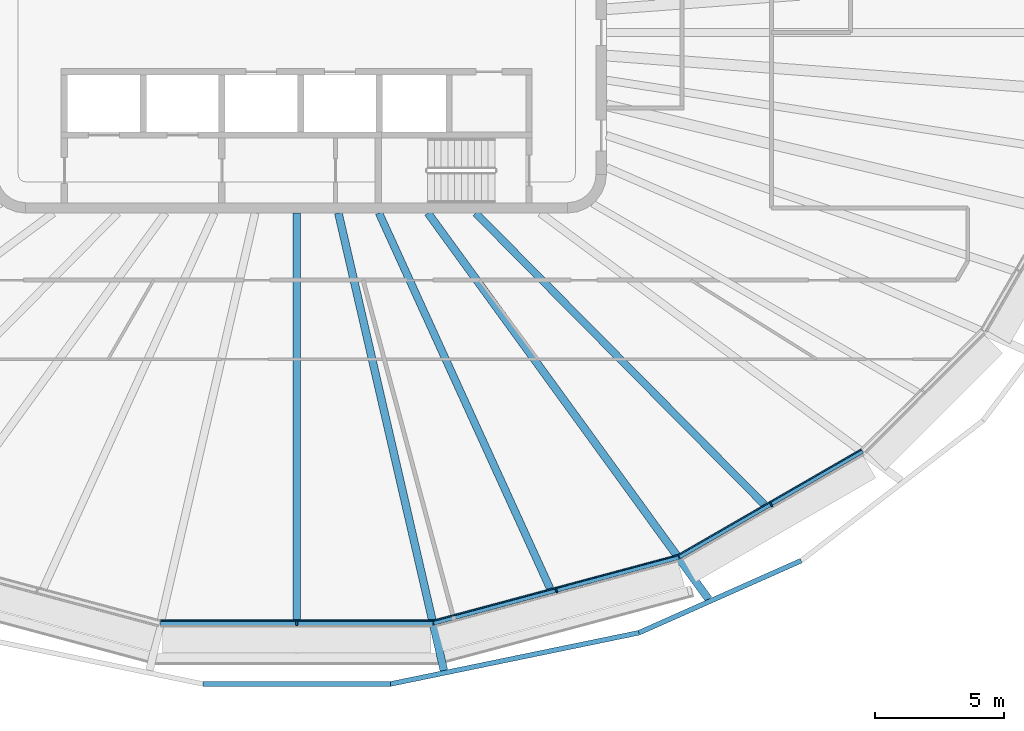
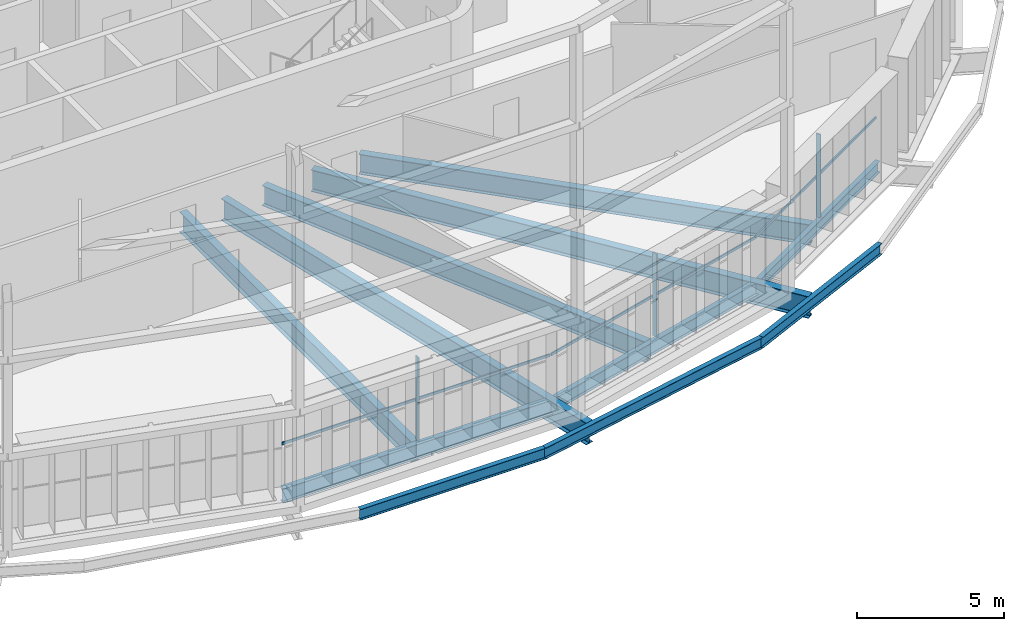
# One storey, part 3 of 20: 11 beams, 6 members, 3 elements without a shape of their own.
"""IFC4 building model written with IfcOpenShell, lengths in metres."""

from ifc_helpers import new_model, si_unit, direction, frame, origin, origin_2d, place, context, subcontext, project, spatial, rectangle, i_section, extrude, material, layer, layer_set, material_profile, profile_set, type_object, element, aggregate, save


model = new_model("IFC4")

# Units and contexts
model_context = context("Model", 3, precision=1e-05, world=origin(), true_north=direction((0.0, 1.0)))
body_context = subcontext(model_context, "Body", "Model", "MODEL_VIEW")
ifc_project = project(units=[si_unit("LENGTHUNIT", "METRE"), si_unit("AREAUNIT", "SQUARE_METRE"), si_unit("VOLUMEUNIT", "CUBIC_METRE"), si_unit("PLANEANGLEUNIT", "RADIAN"), si_unit("MASSUNIT", "GRAM", prefix="KILO")], contexts=[model_context])

# Site, building, storey
site_placement = place(None, origin())
site = spatial("IfcSite", under=ifc_project, at=site_placement, CompositionType="ELEMENT")
building_placement = place(site_placement, origin())
building = spatial("IfcBuilding", under=site, at=building_placement, Name="Sahrelin Media Tower", CompositionType="ELEMENT")
storey_placement = place(building_placement, frame((0.0, 0.0, 209.60009765625)))
storey = spatial("IfcBuildingStorey", under=building, at=storey_placement, Name="L44", CompositionType="ELEMENT", Elevation=209.60009765625)

# Beams
ifc_material_1 = material(Name="Steel S355", Category="steel")
ifc_material_profile_1 = material_profile(ifc_material_1, i_section(OverallWidth=0.1904296875, OverallDepth=0.45703125, WebThickness=0.009033203125, FlangeThickness=0.014404296875, FilletRadius=0.01025390625, at=origin_2d()), Name="UB 457x191x74")
ifc_profile_set_1 = profile_set([ifc_material_profile_1], Name="Steel S355")
beam_type_1 = type_object("IfcBeamType", Name="Edge beam EB5", PredefinedType="BEAM", material=ifc_profile_set_1)
beam_1_placement = place(storey_placement, frame((21.9091796875, -16.215087890625, -0.378662109375), z_axis=(-0.86602319786, -0.500003820754, 0.0), x_axis=(0.500003820754, -0.86602319786, 0.0)))
element("IfcBeam", 1, at=beam_1_placement, inside=storey, type_object=beam_type_1, Name="Edge beam L44-05", PredefinedType="BEAM", context=body_context, shape_type="SweptSolid", body=[
    extrude(i_section(OverallWidth=0.1904296875, OverallDepth=0.45703125, WebThickness=0.009033203125, FlangeThickness=0.014404296875, FilletRadius=0.01025390625, at=origin_2d()), origin(), (0.0, 0.0, 1.0), 8.18701171875),
])
ifc_material_profile_2 = material_profile(ifc_material_1, i_section(OverallWidth=0.208740234375, OverallDepth=0.5283203125, WebThickness=0.009521484375, FlangeThickness=0.01318359375, FilletRadius=0.0126953125, at=origin_2d()), Name="UB 533x210x82")
ifc_profile_set_2 = profile_set([ifc_material_profile_2], Name="Steel S355")
beam_type_2 = type_object("IfcBeamType", Name="Edge beam EB6", PredefinedType="BEAM", material=ifc_profile_set_2)
beam_2_placement = place(storey_placement, frame((14.79248046875, -20.319580078125, -0.414306640625), z_axis=(-0.965931078652, -0.258799442223, 0.0), x_axis=(0.258799442223, -0.965931078652, 0.0)))
element("IfcBeam", 2, at=beam_2_placement, inside=storey, type_object=beam_type_2, Name="Edge beam L44-06", PredefinedType="BEAM", context=body_context, shape_type="SweptSolid", body=[
    extrude(i_section(OverallWidth=0.208740234375, OverallDepth=0.5283203125, WebThickness=0.009521484375, FlangeThickness=0.01318359375, FilletRadius=0.0126953125, at=origin_2d()), origin(), (0.0, 0.0, 1.0), 9.8232421875),
])
ifc_material_profile_3 = material_profile(ifc_material_1, i_section(OverallWidth=0.2275390625, OverallDepth=0.6025390625, WebThickness=0.010498046875, FlangeThickness=0.014892578125, FilletRadius=0.0126953125, at=origin_2d()), Name="UB 610x229x101")
ifc_profile_set_3 = profile_set([ifc_material_profile_3], Name="Steel S355")
beam_type_3 = type_object("IfcBeamType", Name="Edge beam EB7", PredefinedType="BEAM", material=ifc_profile_set_3)
beam_3_placement = place(storey_placement, frame((5.275390625, -22.86572265625, -0.451416015625), z_axis=(-1.0, 0.0, 0.0), x_axis=(0.0, -1.0, 0.0)))
element("IfcBeam", 3, at=beam_3_placement, inside=storey, type_object=beam_type_3, Name="Edge beam L44-07", PredefinedType="BEAM", context=body_context, shape_type="SweptSolid", body=[
    extrude(i_section(OverallWidth=0.2275390625, OverallDepth=0.6025390625, WebThickness=0.010498046875, FlangeThickness=0.014892578125, FilletRadius=0.0126953125, at=origin_2d()), origin(), (0.0, 0.0, 1.0), 10.55078125),
])

# Curtain wall, member
ifc_material_2 = material(Name="Champagne anodised aluminium 6063-T6", Category="aluminium")
ifc_layer = layer(ifc_material_2, 0.14990234375)
ifc_layer_set = layer_set([ifc_layer], Name="Tower ribbon curtain wall")
curtain_wall_type = type_object("IfcCurtainWallType", Name="Tower ribbon curtain wall", PredefinedType="NOTDEFINED", material=ifc_layer_set)
curtain_wall_1_placement = place(storey_placement, frame((0.0, -23.015625, 0.0), z_axis=(0.0, 0.0, 1.0), x_axis=(1.0, 0.0, 0.0)))
curtain_wall_1 = element("IfcCurtainWall", 4, at=curtain_wall_1_placement, inside=storey, type_object=curtain_wall_type, Name="L44:CW:L44-18", PredefinedType="NOTDEFINED")
ifc_material_profile_4 = material_profile(ifc_material_2, rectangle(XDim=0.06005859375, YDim=0.175048828125, at=origin_2d()), Name="Mullion 60x175")
ifc_profile_set_4 = profile_set([ifc_material_profile_4], Name="Champagne anodised aluminium 6063-T6")
member_type_1 = type_object("IfcMemberType", Name="Mullion 60x175 CW1B", PredefinedType="MULLION", material=ifc_profile_set_4)
member_1_placement = place(storey_placement, frame((0.0, -22.908203125, 0.0), z_axis=(0.0, 0.0, 1.0), x_axis=(1.0, 0.0, 0.0)))
member_1 = element("IfcMember", 5, at=member_1_placement, type_object=member_type_1, Name="L44:CWM:L44-18", PredefinedType="MULLION", context=body_context, shape_type="SweptSolid", body=[
    extrude(rectangle(XDim=0.06005859375, YDim=0.175048828125, at=origin_2d()), origin(), (0.0, 0.0, 1.0), 3.448486328125),
])

curtain_wall_2_placement = place(storey_placement, frame((10.0869140625, -21.735595703125, 0.0), z_axis=(0.0, 0.0, 1.0), x_axis=(1.0, 0.0, 0.0)))
curtain_wall_2 = element("IfcCurtainWall", 6, at=curtain_wall_2_placement, inside=storey, type_object=curtain_wall_type, Name="L44:CW:L44-19", PredefinedType="NOTDEFINED")
member_2_placement = place(storey_placement, frame((10.05908203125, -21.6318359375, 0.0), z_axis=(0.0, 0.0, 1.0), x_axis=(0.965927633163, 0.258812301662, 0.0)))
member_2 = element("IfcMember", 7, at=member_2_placement, type_object=member_type_1, Name="L44:CWM:L44-19", PredefinedType="MULLION", context=body_context, shape_type="SweptSolid", body=[
    extrude(rectangle(XDim=0.06005859375, YDim=0.175048828125, at=origin_2d()), origin(), (0.0, 0.0, 1.0), 3.448486328125),
])

curtain_wall_3_placement = place(storey_placement, frame((18.439208984375, -18.3916015625, 0.0), z_axis=(0.0, 0.0, 1.0), x_axis=(1.0, 0.0, 0.0)))
curtain_wall_3 = element("IfcCurtainWall", 8, at=curtain_wall_3_placement, inside=storey, type_object=curtain_wall_type, Name="L44:CW:L44-20", PredefinedType="NOTDEFINED")
member_3_placement = place(storey_placement, frame((18.385498046875, -18.298583984375, 0.0), z_axis=(0.0, 0.0, 1.0), x_axis=(0.86602365845, 0.500003022996, 0.0)))
member_3 = element("IfcMember", 9, at=member_3_placement, type_object=member_type_1, Name="L44:CWM:L44-20", PredefinedType="MULLION", context=body_context, shape_type="SweptSolid", body=[
    extrude(rectangle(XDim=0.06005859375, YDim=0.175048828125, at=origin_2d()), origin(), (0.0, 0.0, 1.0), 3.448486328125),
])

# Beams
ifc_material_profile_5 = material_profile(ifc_material_1, i_section(OverallWidth=0.30322265625, OverallDepth=0.903076171875, WebThickness=0.01513671875, FlangeThickness=0.020263671875, FilletRadius=0.01904296875, at=origin_2d()), Name="UB 914x305x201")
ifc_profile_set_5 = profile_set([ifc_material_profile_5], Name="Steel S355")
beam_type_4 = type_object("IfcBeamType", Name="Radial primary beam PB11", PredefinedType="BEAM", material=ifc_profile_set_5)
beam_4_placement = place(storey_placement, frame((1.614990234375, -7.0, -0.6015625), z_axis=(0.224784995262, -0.974408387641, 0.0), x_axis=(0.974408387641, 0.224784995262, 0.0)))
element("IfcBeam", 10, at=beam_4_placement, inside=storey, type_object=beam_type_4, Name="Radial beam L44-19", PredefinedType="BEAM", context=body_context, shape_type="SweptSolid", body=[
    extrude(i_section(OverallWidth=0.30322265625, OverallDepth=0.903076171875, WebThickness=0.01513671875, FlangeThickness=0.020263671875, FilletRadius=0.01904296875, at=origin_2d()), origin(), (0.0, 0.0, 1.0), 18.186767578125),
])
beam_5_placement = place(storey_placement, frame((5.086669921875, -7.0, -0.6015625), z_axis=(0.587849769231, -0.808970116145, 0.0), x_axis=(0.808970116145, 0.587849769231, 0.0)))
element("IfcBeam", 11, at=beam_5_placement, inside=storey, type_object=beam_type_4, Name="Radial beam L44-20", PredefinedType="BEAM", context=body_context, shape_type="SweptSolid", body=[
    extrude(i_section(OverallWidth=0.30322265625, OverallDepth=0.903076171875, WebThickness=0.01513671875, FlangeThickness=0.020263671875, FilletRadius=0.01904296875, at=origin_2d()), origin(), (0.0, 0.0, 1.0), 18.490478515625),
])
ifc_material_profile_6 = material_profile(ifc_material_1, i_section(OverallWidth=0.291748046875, OverallDepth=0.8349609375, WebThickness=0.013916015625, FlangeThickness=0.018798828125, FilletRadius=0.017822265625, at=origin_2d()), Name="UB 838x292x176")
ifc_profile_set_6 = profile_set([ifc_material_profile_6], Name="Steel S355")
beam_type_5 = type_object("IfcBeamType", Name="Radial secondary beam SB10", PredefinedType="BEAM", material=ifc_profile_set_6)
beam_6_placement = place(storey_placement, frame((0.0, -7.0, -0.567626953125), z_axis=(0.0, -1.0, 0.0), x_axis=(1.0, 0.0, 0.0)))
element("IfcBeam", 12, at=beam_6_placement, inside=storey, type_object=beam_type_5, Name="Secondary beam L44-18", PredefinedType="BEAM", context=body_context, shape_type="SweptSolid", body=[
    extrude(i_section(OverallWidth=0.291748046875, OverallDepth=0.8349609375, WebThickness=0.013916015625, FlangeThickness=0.018798828125, FilletRadius=0.017822265625, at=origin_2d()), origin(), (0.0, 0.0, 1.0), 15.751953125),
])
beam_7_placement = place(storey_placement, frame((3.189697265625, -7.0, -0.567626953125), z_axis=(0.414662432786, -0.909975311113, 0.0), x_axis=(0.909975311113, 0.414662432786, 0.0)))
element("IfcBeam", 13, at=beam_7_placement, inside=storey, type_object=beam_type_5, Name="Secondary beam L44-19", PredefinedType="BEAM", context=body_context, shape_type="SweptSolid", body=[
    extrude(i_section(OverallWidth=0.291748046875, OverallDepth=0.8349609375, WebThickness=0.013916015625, FlangeThickness=0.018798828125, FilletRadius=0.017822265625, at=origin_2d()), origin(), (0.0, 0.0, 1.0), 15.9833984375),
])
beam_8_placement = place(storey_placement, frame((6.931884765625, -7.0, -0.567626953125), z_axis=(0.703642558186, -0.710554114976, 0.0), x_axis=(0.710554114976, 0.703642558186, 0.0)))
element("IfcBeam", 14, at=beam_8_placement, inside=storey, type_object=beam_type_5, Name="Secondary beam L44-20", PredefinedType="BEAM", context=body_context, shape_type="SweptSolid", body=[
    extrude(i_section(OverallWidth=0.291748046875, OverallDepth=0.8349609375, WebThickness=0.013916015625, FlangeThickness=0.018798828125, FilletRadius=0.017822265625, at=origin_2d()), origin(), (0.0, 0.0, 1.0), 15.8955078125),
])
ifc_material_profile_7 = material_profile(ifc_material_1, i_section(OverallWidth=0.1904296875, OverallDepth=0.45703125, WebThickness=0.009033203125, FlangeThickness=0.014404296875, FilletRadius=0.01025390625, at=origin_2d()), Name="UB 457x191x74")
ifc_profile_set_7 = profile_set([ifc_material_profile_7], Name="Steel S355")
beam_type_6 = type_object("IfcBeamType", Name="Tie chord TC5", PredefinedType="BEAM", material=ifc_profile_set_7)
beam_9_placement = place(storey_placement, frame((-3.62451171875, -25.247314453125, -0.378662109375), z_axis=(1.0, 0.0, 0.0), x_axis=(0.0, 1.0, 0.0)))
element("IfcBeam", 15, at=beam_9_placement, inside=storey, type_object=beam_type_6, Name="Tie chord L44-18", PredefinedType="BEAM", context=body_context, shape_type="SweptSolid", body=[
    extrude(i_section(OverallWidth=0.1904296875, OverallDepth=0.45703125, WebThickness=0.009033203125, FlangeThickness=0.014404296875, FilletRadius=0.01025390625, at=origin_2d()), origin(), (0.0, 0.0, 1.0), 7.2490234375),
])
beam_10_placement = place(storey_placement, frame((3.62451171875, -25.247314453125, -0.378662109375), z_axis=(0.979384484627, 0.202005027836, 0.0), x_axis=(-0.202005027836, 0.979384484627, 0.0)))
element("IfcBeam", 16, at=beam_10_placement, inside=storey, type_object=beam_type_6, Name="Tie chord L44-19", PredefinedType="BEAM", context=body_context, shape_type="SweptSolid", body=[
    extrude(i_section(OverallWidth=0.1904296875, OverallDepth=0.45703125, WebThickness=0.009033203125, FlangeThickness=0.014404296875, FilletRadius=0.01025390625, at=origin_2d()), origin(), (0.0, 0.0, 1.0), 9.84033203125),
])
beam_11_placement = place(storey_placement, frame((13.261962890625, -23.259521484375, -0.378662109375), z_axis=(0.913837926838, 0.406079109869, 0.0), x_axis=(-0.406079109869, 0.913837926838, 0.0)))
element("IfcBeam", 17, at=beam_11_placement, inside=storey, type_object=beam_type_6, Name="Tie chord L44-20", PredefinedType="BEAM", context=body_context, shape_type="SweptSolid", body=[
    extrude(i_section(OverallWidth=0.1904296875, OverallDepth=0.45703125, WebThickness=0.009033203125, FlangeThickness=0.014404296875, FilletRadius=0.01025390625, at=origin_2d()), origin(), (0.0, 0.0, 1.0), 6.869384765625),
])

# Member
ifc_material_profile_8 = material_profile(ifc_material_2, rectangle(XDim=0.050048828125, YDim=0.110107421875, at=origin_2d()), Name="Transom 50x110")
ifc_profile_set_8 = profile_set([ifc_material_profile_8], Name="Champagne anodised aluminium 6063-T6")
member_type_2 = type_object("IfcMemberType", Name="Transom 50x110 CW1B", PredefinedType="USERDEFINED", material=ifc_profile_set_8)
member_4_placement = place(storey_placement, frame((-5.259765625, -22.795654296875, 1.599853515625), z_axis=(1.0, 0.0, 0.0), x_axis=(0.0, 1.0, 0.0)))
member_4 = element("IfcMember", 18, at=member_4_placement, type_object=member_type_2, Name="L44:CWT:L44-18", ObjectType="TRANSOM", PredefinedType="USERDEFINED", context=body_context, shape_type="SweptSolid", body=[
    extrude(rectangle(XDim=0.050048828125, YDim=0.110107421875, at=origin_2d()), origin(), (0.0, 0.0, 1.0), 10.51953125),
])

aggregate(curtain_wall_1, [member_1, member_4])

member_5_placement = place(storey_placement, frame((5.301025390625, -22.790283203125, 1.599853515625), z_axis=(0.965929688703, 0.258804629946, 0.0), x_axis=(-0.258804629946, 0.965929688703, 0.0)))
member_5 = element("IfcMember", 19, at=member_5_placement, type_object=member_type_2, Name="L44:CWT:L44-19", ObjectType="TRANSOM", PredefinedType="USERDEFINED", context=body_context, shape_type="SweptSolid", body=[
    extrude(rectangle(XDim=0.050048828125, YDim=0.110107421875, at=origin_2d()), origin(), (0.0, 0.0, 1.0), 9.791748046875),
])

aggregate(curtain_wall_2, [member_2, member_5])

member_6_placement = place(storey_placement, frame((14.797607421875, -20.239990234375, 1.599853515625), z_axis=(0.866035038465, 0.499983311872, 0.0), x_axis=(-0.499983311872, 0.866035038465, 0.0)))
member_6 = element("IfcMember", 20, at=member_6_placement, type_object=member_type_2, Name="L44:CWT:L44-20", ObjectType="TRANSOM", PredefinedType="USERDEFINED", context=body_context, shape_type="SweptSolid", body=[
    extrude(rectangle(XDim=0.050048828125, YDim=0.110107421875, at=origin_2d()), origin(), (0.0, 0.0, 1.0), 8.155517578125),
])

aggregate(curtain_wall_3, [member_3, member_6])

save(model, "model.ifc")
